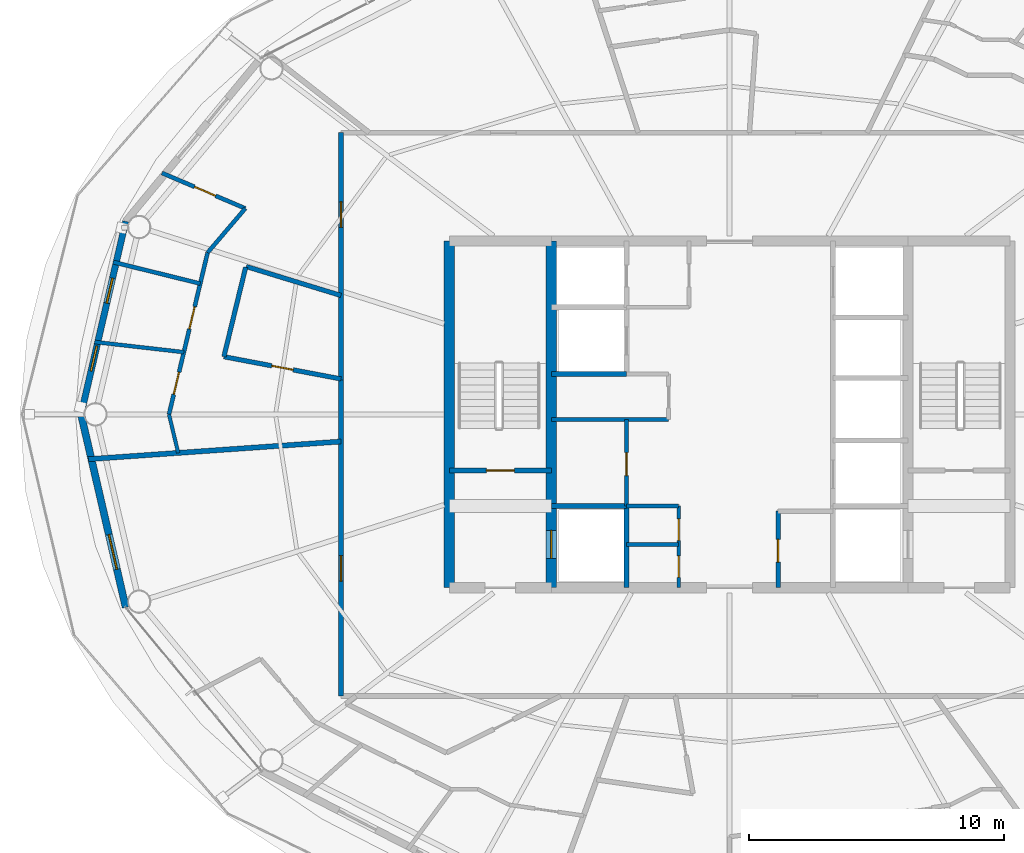
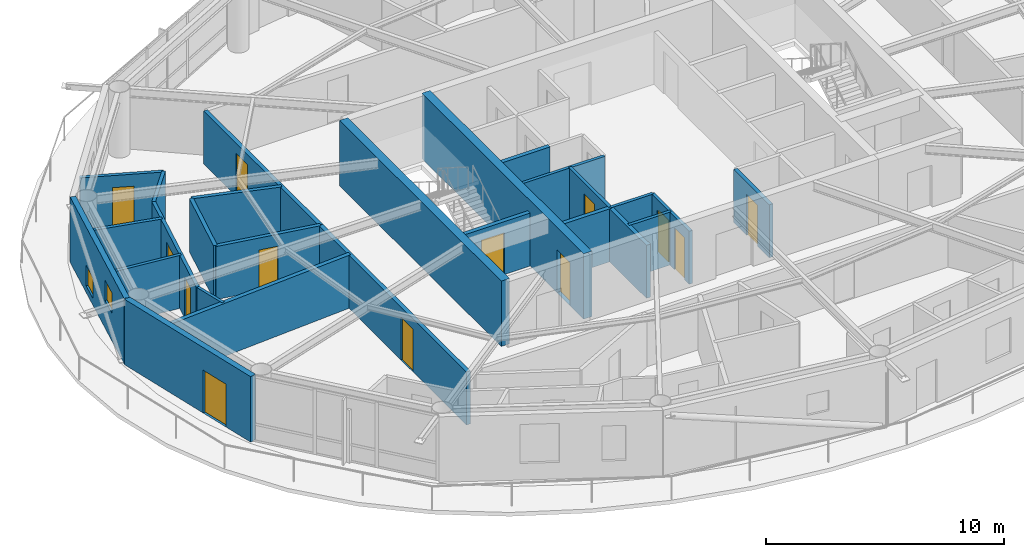
# One storey, part 16 of 23: 26 walls, 13 doors, 2 windows, 15 openings.
"""IFC4 building model written with IfcOpenShell, lengths in metres."""

from ifc_helpers import new_model, si_unit, direction, frame, frame_2d, origin, place, context, subcontext, project, spatial, rectangle, extrude, material, layer, layer_set, type_object, element, fill, save


model = new_model("IFC4")

# Units and contexts
model_context = context("Model", 3, precision=1e-05, world=origin(), true_north=direction((0.0, 1.0)))
body_context = subcontext(model_context, "Body", "Model", "MODEL_VIEW")
ifc_project = project(units=[si_unit("LENGTHUNIT", "METRE"), si_unit("AREAUNIT", "SQUARE_METRE"), si_unit("VOLUMEUNIT", "CUBIC_METRE"), si_unit("PLANEANGLEUNIT", "RADIAN"), si_unit("MASSUNIT", "GRAM", prefix="KILO")], contexts=[model_context])

# Site, building, storey
site_placement = place(None, origin())
site = spatial("IfcSite", under=ifc_project, at=site_placement, CompositionType="ELEMENT")
building_placement = place(site_placement, origin())
building = spatial("IfcBuilding", under=site, at=building_placement, Name="Sarneth Arch Tower", CompositionType="ELEMENT")
storey_placement = place(building_placement, frame((0.0, 0.0, 217.199951171875)))
storey = spatial("IfcBuildingStorey", under=building, at=storey_placement, Name="L55", CompositionType="ELEMENT", Elevation=217.199951171875)

# Wall
ifc_material_1 = material(Name="Concrete C50/60", Category="concrete")
ifc_layer_1 = layer(ifc_material_1, 0.39990234375)
ifc_layer_set_1 = layer_set([ifc_layer_1], Name="Concrete C50/60")
wall_type_1 = type_object("IfcWallType", Name="WALL-CORE-400", PredefinedType="SHEAR", material=ifc_layer_set_1)
wall_1_placement = place(storey_placement, frame((37.0, 35.199951171875, 0.0), z_axis=(0.0, 0.0, 1.0), x_axis=(0.0, 1.0, 0.0)))
element("IfcWall", 1, at=wall_1_placement, inside=storey, type_object=wall_type_1, Name="L55 Core shear wall W", PredefinedType="SHEAR", context=body_context, shape_type="SweptSolid", body=[
    extrude(rectangle(XDim=13.60009765625, YDim=0.39990234375, at=frame_2d((6.800048828125, 0.0))), origin(), (0.0, 0.0, 1.0), 3.360107421875),
])

# Wall, opening, door
wall_2_placement = place(storey_placement, frame((41.0, 35.199951171875, 0.0), z_axis=(0.0, 0.0, 1.0), x_axis=(0.0, 1.0, 0.0)))
wall_2 = element("IfcWall", 2, at=wall_2_placement, inside=storey, type_object=wall_type_1, Name="L55 Core shear wall WEB-W", PredefinedType="SHEAR", context=body_context, shape_type="SweptSolid", body=[
    extrude(rectangle(XDim=13.60009765625, YDim=0.39990234375, at=frame_2d((6.800048828125, 0.0))), origin(), (0.0, 0.0, 1.0), 3.360107421875),
])
opening_1_placement = place(wall_2_placement, frame((1.14990234375, 0.0, 0.0)))
opening_1 = element("IfcOpeningElement", 3, at=opening_1_placement, cuts=wall_2, Name="Opening LD-1", PredefinedType="OPENING", context=body_context, shape_type="SweptSolid", body=[
    extrude(rectangle(XDim=1.10009765625, YDim=2.199951171875, at=frame_2d((0.550048828125, 1.10009765625))), frame((0.0, 0.2099609375, 0.0), z_axis=(0.0, -1.0, 0.0), x_axis=(1.0, 0.0, 0.0)), (0.0, 0.0, 1.0), 0.419921875),
])
ifc_material_2 = material(Name="Brushed Stainless Steel 304 lift landing door", Category="steel")
door_type_1 = type_object("IfcDoorType", Name="DR-LIFT-SLIDE-1100", OperationType="SLIDING_TO_LEFT", PredefinedType="DOOR", material=ifc_material_2)
door_1_placement = place(opening_1_placement, origin())
door_1 = element("IfcDoor", 4, at=door_1_placement, inside=storey, type_object=door_type_1, Name="L55 Firefighting lift landing door FL-1", OperationType="SLIDING_TO_LEFT", OverallHeight=2.199951171875, OverallWidth=1.10009765625, PredefinedType="DOOR", context=body_context, shape_type="SweptSolid", body=[
    extrude(rectangle(XDim=1.10009765625, YDim=2.199951171875, at=frame_2d((0.550048828125, 1.10009765625))), frame((0.0, 0.02490234375, 0.0), z_axis=(0.0, -1.0, 0.0), x_axis=(1.0, 0.0, 0.0)), (0.0, 0.0, 1.0), 0.050048828125),
])
fill(opening_1, door_1)

ifc_material_3 = material(Name="Double steel-stud corridor fire wall", Category="steel")
ifc_layer_2 = layer(ifc_material_3, 0.18994140625)
ifc_layer_set_2 = layer_set([ifc_layer_2], Name="Double steel-stud corridor fire wall")
wall_type_2 = type_object("IfcWallType", Name="WALL-CORR-190", PredefinedType="PARTITIONING", material=ifc_layer_set_2)
wall_3_placement = place(storey_placement, frame((32.75, 30.949951171875, 0.0), z_axis=(0.0, 0.0, 1.0), x_axis=(0.0, 1.0, 0.0)))
wall_3 = element("IfcWall", 5, at=wall_3_placement, inside=storey, type_object=wall_type_2, Name="L55 Interior partition W-L55-TP-012", PredefinedType="PARTITIONING", context=body_context, shape_type="SweptSolid", body=[
    extrude(rectangle(XDim=12.47119140625, YDim=0.18994140625, at=frame_2d((6.235595703125, 0.0))), origin(), (0.0, 0.0, 1.0), 2.719970703125),
])
opening_2_placement = place(wall_3_placement, frame((4.5078125, 0.0, 0.0)))
opening_2 = element("IfcOpeningElement", 6, at=opening_2_placement, cuts=wall_3, Name="Opening FD-08", PredefinedType="OPENING", context=body_context, shape_type="SweptSolid", body=[
    extrude(rectangle(XDim=1.0, YDim=2.199951171875, at=frame_2d((0.5, 1.10009765625))), frame((0.0, 0.10498046875, 0.0), z_axis=(0.0, -1.0, 0.0), x_axis=(1.0, 0.0, 0.0)), (0.0, 0.0, 1.0), 0.2099609375),
])
ifc_material_4 = material(Name="Hardwood timber acoustic fire door", Category="wood")
door_type_2 = type_object("IfcDoorType", Name="DR-FD60-1000", OperationType="SINGLE_SWING_LEFT", PredefinedType="DOOR", material=ifc_material_4)
door_2_placement = place(opening_2_placement, origin())
door_2 = element("IfcDoor", 7, at=door_2_placement, inside=storey, type_object=door_type_2, Name="L55 Interior door DR-L55-U5-ENT", OperationType="SINGLE_SWING_LEFT", OverallHeight=2.199951171875, OverallWidth=1.0, PredefinedType="DOOR", context=body_context, shape_type="SweptSolid", body=[
    extrude(rectangle(XDim=1.0, YDim=2.199951171875, at=frame_2d((0.5, 1.10009765625))), frame((0.0, 0.02490234375, 0.0), z_axis=(0.0, -1.0, 0.0), x_axis=(1.0, 0.0, 0.0)), (0.0, 0.0, 1.0), 0.050048828125),
])
fill(opening_2, door_2)

wall_4_placement = place(storey_placement, frame((32.75, 43.35595703125, 0.0), z_axis=(0.0, 0.0, 1.0), x_axis=(0.0, 1.0, 0.0)))
wall_4 = element("IfcWall", 8, at=wall_4_placement, inside=storey, type_object=wall_type_2, Name="L55 Interior partition W-L55-TP-008", PredefinedType="PARTITIONING", context=body_context, shape_type="SweptSolid", body=[
    extrude(rectangle(XDim=9.694091796875, YDim=0.18994140625, at=frame_2d((4.84716796875, 0.0))), origin(), (0.0, 0.0, 1.0), 2.719970703125),
])
opening_3_placement = place(wall_4_placement, frame((5.9833984375, 0.0, 0.0)))
opening_3 = element("IfcOpeningElement", 9, at=opening_3_placement, cuts=wall_4, Name="Opening FD-08", PredefinedType="OPENING", context=body_context, shape_type="SweptSolid", body=[
    extrude(rectangle(XDim=1.0, YDim=2.199951171875, at=frame_2d((0.5, 1.10009765625))), frame((0.0, 0.10498046875, 0.0), z_axis=(0.0, -1.0, 0.0), x_axis=(1.0, 0.0, 0.0)), (0.0, 0.0, 1.0), 0.2099609375),
])
door_3_placement = place(opening_3_placement, origin())
door_3 = element("IfcDoor", 10, at=door_3_placement, inside=storey, type_object=door_type_2, Name="L55 Interior door DR-L55-U4-ENT", OperationType="SINGLE_SWING_LEFT", OverallHeight=2.199951171875, OverallWidth=1.0, PredefinedType="DOOR", context=body_context, shape_type="SweptSolid", body=[
    extrude(rectangle(XDim=1.0, YDim=2.199951171875, at=frame_2d((0.5, 1.10009765625))), frame((0.0, 0.02490234375, 0.0), z_axis=(0.0, -1.0, 0.0), x_axis=(1.0, 0.0, 0.0)), (0.0, 0.0, 1.0), 0.050048828125),
])
fill(opening_3, door_3)

# Wall, openings, windows
ifc_material_5 = material(Name="Extruded terracotta rainscreen on Concrete C40/50 backing", Category="masonry")
ifc_layer_3 = layer(ifc_material_5, 0.25)
ifc_layer_set_3 = layer_set([ifc_layer_3], Name="Extruded terracotta rainscreen on Concrete C40/50 backing")
wall_type_3 = type_object("IfcWallType", Name="WALL-EXT-SPAND-250", PredefinedType="SOLIDWALL", material=ifc_layer_set_3)
wall_5_placement = place(storey_placement, frame((24.30615234375, 49.569580078125, 0.0), z_axis=(0.0, 0.0, 1.0), x_axis=(-0.225635078214, -0.974211892495, 0.0)))
wall_5 = element("IfcWall", 11, at=wall_5_placement, inside=storey, type_object=wall_type_3, Name="L55 Terracotta perimeter wall 08", PredefinedType="SOLIDWALL", context=body_context, shape_type="SweptSolid", body=[
    extrude(rectangle(XDim=7.77001953125, YDim=0.25, at=frame_2d((3.885009765625, 0.0))), origin(), (0.0, 0.0, 1.0), 3.360107421875),
])
opening_4_placement = place(wall_5_placement, frame((2.290771484375, 0.0, 0.35009765625)))
opening_4 = element("IfcOpeningElement", 12, at=opening_4_placement, cuts=wall_5, Name="Opening W-14", PredefinedType="OPENING", context=body_context, shape_type="SweptSolid", body=[
    extrude(rectangle(XDim=1.0, YDim=1.050048828125, at=frame_2d((0.5, 0.52490234375))), frame((0.0, 0.135009765625, 0.0), z_axis=(0.0, -1.0, 0.0), x_axis=(1.0, 0.0, 0.0)), (0.0, 0.0, 1.0), 0.27001953125),
])
opening_5_placement = place(wall_5_placement, frame((5.02392578125, 0.0, 1.419921875)))
opening_5 = element("IfcOpeningElement", 13, at=opening_5_placement, cuts=wall_5, Name="Opening W-14", PredefinedType="OPENING", context=body_context, shape_type="SweptSolid", body=[
    extrude(rectangle(XDim=1.0, YDim=1.050048828125, at=frame_2d((0.5, 0.52490234375))), frame((0.0, 0.135009765625, 0.0), z_axis=(0.0, -1.0, 0.0), x_axis=(1.0, 0.0, 0.0)), (0.0, 0.0, 1.0), 0.27001953125),
])
ifc_material_6 = material(Name="Thermally broken Aluminium 6063-T6 and low-e laminated IGU", Category="aluminium")
window_type = type_object("IfcWindowType", Name="WIN-TWR-1000x1050", PartitioningType="SINGLE_PANEL", PredefinedType="WINDOW", material=ifc_material_6)
window_1_placement = place(opening_4_placement, origin())
window_1 = element("IfcWindow", 14, at=window_1_placement, inside=storey, type_object=window_type, Name="L55 Dwelling bedroom window 02", OverallHeight=1.050048828125, OverallWidth=1.0, PartitioningType="SINGLE_PANEL", PredefinedType="WINDOW", context=body_context, shape_type="SweptSolid", body=[
    extrude(rectangle(XDim=1.0, YDim=1.050048828125, at=frame_2d((0.5, 0.52490234375))), frame((0.0, 0.030029296875, 0.0), z_axis=(0.0, -1.0, 0.0), x_axis=(1.0, 0.0, 0.0)), (0.0, 0.0, 1.0), 0.06005859375),
])
fill(opening_4, window_1)
window_2_placement = place(opening_5_placement, origin())
window_2 = element("IfcWindow", 15, at=window_2_placement, inside=storey, type_object=window_type, Name="L55 Dwelling bedroom window 03", OverallHeight=1.050048828125, OverallWidth=1.0, PartitioningType="SINGLE_PANEL", PredefinedType="WINDOW", context=body_context, shape_type="SweptSolid", body=[
    extrude(rectangle(XDim=1.0, YDim=1.050048828125, at=frame_2d((0.5, 0.52490234375))), frame((0.0, 0.030029296875, 0.0), z_axis=(0.0, -1.0, 0.0), x_axis=(1.0, 0.0, 0.0)), (0.0, 0.0, 1.0), 0.06005859375),
])
fill(opening_5, window_2)

# Wall, opening, door
ifc_material_7 = material(Name="Extruded terracotta rainscreen on Concrete C40/50 backing", Category="masonry")
ifc_layer_4 = layer(ifc_material_7, 0.280029296875)
ifc_layer_set_4 = layer_set([ifc_layer_4], Name="Extruded terracotta rainscreen on Concrete C40/50 backing")
wall_type_4 = type_object("IfcWallType", Name="WALL-EXT-TERRA-280", PredefinedType="SOLIDWALL", material=ifc_layer_set_4)
wall_6_placement = place(storey_placement, frame((22.552978515625, 42.0, 0.0), z_axis=(0.0, 0.0, 1.0), x_axis=(0.225635078214, -0.974211892495, 0.0)))
wall_6 = element("IfcWall", 16, at=wall_6_placement, inside=storey, type_object=wall_type_4, Name="L55 Terracotta perimeter wall 09", PredefinedType="SOLIDWALL", context=body_context, shape_type="SweptSolid", body=[
    extrude(rectangle(XDim=7.77001953125, YDim=0.280029296875, at=frame_2d((3.885009765625, 0.0))), origin(), (0.0, 0.0, 1.0), 3.360107421875),
])
opening_6_placement = place(wall_6_placement, frame((4.842041015625, 0.0, 0.0)))
opening_6 = element("IfcOpeningElement", 17, at=opening_6_placement, cuts=wall_6, Name="Opening BD-2", PredefinedType="OPENING", context=body_context, shape_type="SweptSolid", body=[
    extrude(rectangle(XDim=1.39990234375, YDim=2.199951171875, at=frame_2d((0.699951171875, 1.10009765625))), frame((0.0, 0.14990234375, 0.0), z_axis=(0.0, -1.0, 0.0), x_axis=(1.0, 0.0, 0.0)), (0.0, 0.0, 1.0), 0.300048828125),
])
ifc_material_8 = material(Name="Thermally broken Aluminium 6063-T6 and laminated safety glass", Category="aluminium")
door_type_3 = type_object("IfcDoorType", Name="DR-BALC-GLZ-1400", OperationType="SINGLE_SWING_LEFT", PredefinedType="DOOR", material=ifc_material_8)
door_4_placement = place(opening_6_placement, origin())
door_4 = element("IfcDoor", 18, at=door_4_placement, inside=storey, type_object=door_type_3, Name="L55 Balcony glazed door 09", OperationType="SINGLE_SWING_LEFT", OverallHeight=2.199951171875, OverallWidth=1.39990234375, PredefinedType="DOOR", context=body_context, shape_type="SweptSolid", body=[
    extrude(rectangle(XDim=1.39990234375, YDim=2.199951171875, at=frame_2d((0.699951171875, 1.10009765625))), frame((0.0, 0.02490234375, 0.0), z_axis=(0.0, -1.0, 0.0), x_axis=(1.0, 0.0, 0.0)), (0.0, 0.0, 1.0), 0.050048828125),
])
fill(opening_6, door_4)

# Wall
ifc_material_9 = material(Name="Apartment internal stud partition", Category="gypsum")
ifc_layer_5 = layer(ifc_material_9, 0.139892578125)
ifc_layer_set_5 = layer_set([ifc_layer_5], Name="Apartment internal stud partition")
wall_type_5 = type_object("IfcWallType", Name="WALL-PART-140", PredefinedType="PARTITIONING", material=ifc_layer_set_5)
wall_7_placement = place(storey_placement, frame((26.003662109375, 42.0, 0.0), z_axis=(0.0, 0.0, 1.0), x_axis=(0.232292411737, -0.972645996984, 0.0)))
element("IfcWall", 19, at=wall_7_placement, inside=storey, type_object=wall_type_5, Name="L55 Interior partition W-L55-TP-061", PredefinedType="PARTITIONING", context=body_context, shape_type="SweptSolid", body=[
    extrude(rectangle(XDim=1.555419921875, YDim=0.139892578125, at=frame_2d((0.77783203125, 0.0))), origin(), (0.0, 0.0, 1.0), 2.719970703125),
])

# Wall, opening, door
ifc_material_10 = material(Name="Acoustic gypsum stud partition", Category="gypsum")
ifc_layer_6 = layer(ifc_material_10, 0.14990234375)
ifc_layer_set_6 = layer_set([ifc_layer_6], Name="Acoustic gypsum stud partition")
wall_type_6 = type_object("IfcWallType", Name="WALL-PART-150", PredefinedType="PARTITIONING", material=ifc_layer_set_6)
wall_8_placement = place(storey_placement, frame((43.949951171875, 38.39990234375, 0.0), z_axis=(0.0, 0.0, 1.0), x_axis=(0.0, 1.0, 0.0)))
wall_8 = element("IfcWall", 20, at=wall_8_placement, inside=storey, type_object=wall_type_6, Name="L55 Interior partition W-L55-RECPL-E1", PredefinedType="PARTITIONING", context=body_context, shape_type="SweptSolid", body=[
    extrude(rectangle(XDim=3.400146484375, YDim=0.14990234375, at=frame_2d((1.7001953125, 0.0))), origin(), (0.0, 0.0, 1.0), 2.719970703125),
])
opening_7_placement = place(wall_8_placement, frame((1.199951171875, 0.0, 0.0)))
opening_7 = element("IfcOpeningElement", 21, at=opening_7_placement, cuts=wall_8, Name="Opening FD-10", PredefinedType="OPENING", context=body_context, shape_type="SweptSolid", body=[
    extrude(rectangle(XDim=0.89990234375, YDim=2.14990234375, at=frame_2d((0.449951171875, 1.074951171875))), frame((0.0, 0.0849609375, 0.0), z_axis=(0.0, -1.0, 0.0), x_axis=(1.0, 0.0, 0.0)), (0.0, 0.0, 1.0), 0.169921875),
])
ifc_material_11 = material(Name="Galvanised Steel S275 riser/service fire door", Category="steel")
door_type_4 = type_object("IfcDoorType", Name="DR-FD60-900", OperationType="SINGLE_SWING_LEFT", PredefinedType="DOOR", material=ifc_material_11)
door_5_placement = place(opening_7_placement, origin())
door_5 = element("IfcDoor", 22, at=door_5_placement, inside=storey, type_object=door_type_4, Name="L55 Interior door DR-L55-RECPL1", OperationType="SINGLE_SWING_LEFT", OverallHeight=2.14990234375, OverallWidth=0.89990234375, PredefinedType="DOOR", context=body_context, shape_type="SweptSolid", body=[
    extrude(rectangle(XDim=0.89990234375, YDim=2.14990234375, at=frame_2d((0.449951171875, 1.074951171875))), frame((0.0, 0.02490234375, 0.0), z_axis=(0.0, -1.0, 0.0), x_axis=(1.0, 0.0, 0.0)), (0.0, 0.0, 1.0), 0.050048828125),
])
fill(opening_7, door_5)

# Walls
wall_9_placement = place(storey_placement, frame((41.0, 41.800048828125, 0.0), z_axis=(0.0, 0.0, 1.0), x_axis=(1.0, 0.0, 0.0)))
element("IfcWall", 23, at=wall_9_placement, inside=storey, type_object=wall_type_6, Name="L55 Interior partition W-L55-RECPL-S2", PredefinedType="PARTITIONING", context=body_context, shape_type="SweptSolid", body=[
    extrude(rectangle(XDim=4.60009765625, YDim=0.14990234375, at=frame_2d((2.300048828125, 0.0))), origin(), (0.0, 0.0, 1.0), 2.719970703125),
])
for number, where, z_axis, x_axis, name in (
    (24, (43.949951171875, 36.89990234375, 0.0), (0.0, 0.0, 1.0), (1.0, 0.0, 0.0), "L55 Interior partition W-L55-CSUP-M"),
    (25, (43.949951171875, 38.39990234375, 0.0), (0.0, 0.0, 1.0), (1.0, 0.0, 0.0), "L55 Interior partition W-L55-CSUP-N"),
):
    element("IfcWall", number, at=place(storey_placement, frame(where, z_axis=z_axis, x_axis=x_axis)), inside=storey, type_object=wall_type_6, Name=name, PredefinedType="PARTITIONING", context=body_context, shape_type="SweptSolid", body=[
        extrude(rectangle(XDim=2.050048828125, YDim=0.14990234375, at=frame_2d((1.02490234375, 0.0))), origin(), (0.0, 0.0, 1.0), 2.719970703125),
    ])

# Wall, openings, doors
wall_10_placement = place(storey_placement, frame((46.0, 35.199951171875, 0.0), z_axis=(0.0, 0.0, 1.0), x_axis=(0.0, 1.0, 0.0)))
wall_10 = element("IfcWall", 26, at=wall_10_placement, inside=storey, type_object=wall_type_6, Name="L55 Interior partition W-L55-CSUP-E", PredefinedType="PARTITIONING", context=body_context, shape_type="SweptSolid", body=[
    extrude(rectangle(XDim=3.199951171875, YDim=0.14990234375, at=frame_2d((1.60009765625, 0.0))), origin(), (0.0, 0.0, 1.0), 2.719970703125),
])
opening_8_placement = place(wall_10_placement, frame((0.39990234375, 0.0, 0.0)))
opening_8 = element("IfcOpeningElement", 27, at=opening_8_placement, cuts=wall_10, Name="Opening FD-11", PredefinedType="OPENING", context=body_context, shape_type="SweptSolid", body=[
    extrude(rectangle(XDim=0.85009765625, YDim=2.14990234375, at=frame_2d((0.425048828125, 1.074951171875))), frame((0.0, 0.0849609375, 0.0), z_axis=(0.0, -1.0, 0.0), x_axis=(1.0, 0.0, 0.0)), (0.0, 0.0, 1.0), 0.169921875),
])
opening_9_placement = place(wall_10_placement, frame((1.85009765625, 0.0, 0.0)))
opening_9 = element("IfcOpeningElement", 28, at=opening_9_placement, cuts=wall_10, Name="Opening FD-11", PredefinedType="OPENING", context=body_context, shape_type="SweptSolid", body=[
    extrude(rectangle(XDim=0.85009765625, YDim=2.14990234375, at=frame_2d((0.425048828125, 1.074951171875))), frame((0.0, 0.0849609375, 0.0), z_axis=(0.0, -1.0, 0.0), x_axis=(1.0, 0.0, 0.0)), (0.0, 0.0, 1.0), 0.169921875),
])
ifc_material_12 = material(Name="Galvanised Steel S275 closet fire door", Category="steel")
door_type_5 = type_object("IfcDoorType", Name="DR-FD60-850", OperationType="SINGLE_SWING_LEFT", PredefinedType="DOOR", material=ifc_material_12)
door_6_placement = place(opening_8_placement, origin())
door_6 = element("IfcDoor", 29, at=door_6_placement, inside=storey, type_object=door_type_5, Name="L55 Interior door DR-L55-CSUP1", OperationType="SINGLE_SWING_LEFT", OverallHeight=2.14990234375, OverallWidth=0.85009765625, PredefinedType="DOOR", context=body_context, shape_type="SweptSolid", body=[
    extrude(rectangle(XDim=0.85009765625, YDim=2.14990234375, at=frame_2d((0.425048828125, 1.074951171875))), frame((0.0, 0.02490234375, 0.0), z_axis=(0.0, -1.0, 0.0), x_axis=(1.0, 0.0, 0.0)), (0.0, 0.0, 1.0), 0.050048828125),
])
fill(opening_8, door_6)
door_7_placement = place(opening_9_placement, origin())
door_7 = element("IfcDoor", 30, at=door_7_placement, inside=storey, type_object=door_type_5, Name="L55 Interior door DR-L55-CSUP2", OperationType="SINGLE_SWING_RIGHT", OverallHeight=2.14990234375, OverallWidth=0.85009765625, PredefinedType="DOOR", context=body_context, shape_type="SweptSolid", body=[
    extrude(rectangle(XDim=0.85009765625, YDim=2.14990234375, at=frame_2d((0.425048828125, 1.074951171875))), frame((0.0, 0.02490234375, 0.0), z_axis=(0.0, -1.0, 0.0), x_axis=(1.0, 0.0, 0.0)), (0.0, 0.0, 1.0), 0.050048828125),
])
fill(opening_9, door_7)

# Wall
wall_11_placement = place(storey_placement, frame((23.088134765625, 44.83837890625, 0.0), z_axis=(0.0, 0.0, 1.0), x_axis=(0.99356860566, -0.113231735156, 0.0)))
element("IfcWall", 31, at=wall_11_placement, inside=storey, type_object=wall_type_6, Name="L55 Interior partition W-L55-TP-064", PredefinedType="PARTITIONING", context=body_context, shape_type="SweptSolid", body=[
    extrude(rectangle(XDim=3.52099609375, YDim=0.14990234375, at=frame_2d((1.760498046875, 0.0))), origin(), (0.0, 0.0, 1.0), 2.719970703125),
])

# Wall, opening, door
ifc_material_13 = material(Name="Kitchen wet service chase wall", Category="gypsum")
ifc_layer_7 = layer(ifc_material_13, 0.159912109375)
ifc_layer_set_7 = layer_set([ifc_layer_7], Name="Kitchen wet service chase wall")
wall_type_7 = type_object("IfcWallType", Name="WALL-PLUMB-160", PredefinedType="PLUMBINGWALL", material=ifc_layer_set_7)
wall_12_placement = place(storey_placement, frame((25.728515625, 51.46826171875, 0.0), z_axis=(0.0, 0.0, 1.0), x_axis=(0.920292576495, -0.39123084445, 0.0)))
wall_12 = element("IfcWall", 32, at=wall_12_placement, inside=storey, type_object=wall_type_7, Name="L55 Interior partition W-L55-TP-053", PredefinedType="PLUMBINGWALL", context=body_context, shape_type="SweptSolid", body=[
    extrude(rectangle(XDim=3.55322265625, YDim=0.159912109375, at=frame_2d((1.776611328125, 0.0))), origin(), (0.0, 0.0, 1.0), 2.719970703125),
])
opening_10_placement = place(wall_12_placement, frame((1.38671875, 0.0, 0.0)))
opening_10 = element("IfcOpeningElement", 33, at=opening_10_placement, cuts=wall_12, Name="Opening ID-01", PredefinedType="OPENING", context=body_context, shape_type="SweptSolid", body=[
    extrude(rectangle(XDim=0.89990234375, YDim=2.10009765625, at=frame_2d((0.449951171875, 1.050048828125))), frame((0.0, 0.08984375, 0.0), z_axis=(0.0, -1.0, 0.0), x_axis=(1.0, 0.0, 0.0)), (0.0, 0.0, 1.0), 0.179931640625),
])
ifc_material_14 = material(Name="Engineered hardwood flush door", Category="wood")
door_type_6 = type_object("IfcDoorType", Name="DR-INT-900", OperationType="SINGLE_SWING_LEFT", PredefinedType="DOOR", material=ifc_material_14)
door_8_placement = place(opening_10_placement, origin())
door_8 = element("IfcDoor", 34, at=door_8_placement, inside=storey, type_object=door_type_6, Name="L55 Interior door DR-L55-U4-KIT", OperationType="SINGLE_SWING_LEFT", OverallHeight=2.10009765625, OverallWidth=0.89990234375, PredefinedType="DOOR", context=body_context, shape_type="SweptSolid", body=[
    extrude(rectangle(XDim=0.89990234375, YDim=2.10009765625, at=frame_2d((0.449951171875, 1.050048828125))), frame((0.0, 0.02490234375, 0.0), z_axis=(0.0, -1.0, 0.0), x_axis=(1.0, 0.0, 0.0)), (0.0, 0.0, 1.0), 0.050048828125),
])
fill(opening_10, door_8)

# Wall
wall_13_placement = place(storey_placement, frame((27.22900390625, 47.129638671875, 0.0), z_axis=(0.0, 0.0, 1.0), x_axis=(-0.970832476512, 0.239758842484, 0.0)))
element("IfcWall", 35, at=wall_13_placement, inside=storey, type_object=wall_type_7, Name="L55 Interior partition W-L55-TP-063", PredefinedType="PLUMBINGWALL", context=body_context, shape_type="SweptSolid", body=[
    extrude(rectangle(XDim=3.51806640625, YDim=0.159912109375, at=frame_2d((1.759033203125, 0.0))), origin(), (0.0, 0.0, 1.0), 2.719970703125),
])

# Wall, openings, doors
wall_14_placement = place(storey_placement, frame((26.003662109375, 42.0, 0.0), z_axis=(0.0, 0.0, 1.0), x_axis=(0.232298462197, 0.972644551962, 0.0)))
wall_14 = element("IfcWall", 36, at=wall_14_placement, inside=storey, type_object=wall_type_7, Name="L55 Interior partition W-L55-TP-059", PredefinedType="PLUMBINGWALL", context=body_context, shape_type="SweptSolid", body=[
    extrude(rectangle(XDim=6.5234375, YDim=0.159912109375, at=frame_2d((3.26171875, 0.0))), origin(), (0.0, 0.0, 1.0), 2.719970703125),
])
opening_11_placement = place(wall_14_placement, frame((3.441162109375, 0.0, 0.0)))
opening_11 = element("IfcOpeningElement", 37, at=opening_11_placement, cuts=wall_14, Name="Opening ID-01", PredefinedType="OPENING", context=body_context, shape_type="SweptSolid", body=[
    extrude(rectangle(XDim=0.89990234375, YDim=2.10009765625, at=frame_2d((0.449951171875, 1.050048828125))), frame((0.0, 0.08984375, 0.0), z_axis=(0.0, -1.0, 0.0), x_axis=(1.0, 0.0, 0.0)), (0.0, 0.0, 1.0), 0.179931640625),
])
opening_12_placement = place(wall_14_placement, frame((0.80419921875, 0.0, 0.0)))
opening_12 = element("IfcOpeningElement", 38, at=opening_12_placement, cuts=wall_14, Name="Opening ID-01", PredefinedType="OPENING", context=body_context, shape_type="SweptSolid", body=[
    extrude(rectangle(XDim=0.89990234375, YDim=2.10009765625, at=frame_2d((0.449951171875, 1.050048828125))), frame((0.0, 0.08984375, 0.0), z_axis=(0.0, -1.0, 0.0), x_axis=(1.0, 0.0, 0.0)), (0.0, 0.0, 1.0), 0.179931640625),
])
door_9_placement = place(opening_11_placement, origin())
door_9 = element("IfcDoor", 39, at=door_9_placement, inside=storey, type_object=door_type_6, Name="L55 Interior door DR-L55-U4-BED1", OperationType="SINGLE_SWING_LEFT", OverallHeight=2.10009765625, OverallWidth=0.89990234375, PredefinedType="DOOR", context=body_context, shape_type="SweptSolid", body=[
    extrude(rectangle(XDim=0.89990234375, YDim=2.10009765625, at=frame_2d((0.449951171875, 1.050048828125))), frame((0.0, 0.02490234375, 0.0), z_axis=(0.0, -1.0, 0.0), x_axis=(1.0, 0.0, 0.0)), (0.0, 0.0, 1.0), 0.050048828125),
])
fill(opening_11, door_9)
door_10_placement = place(opening_12_placement, origin())
door_10 = element("IfcDoor", 40, at=door_10_placement, inside=storey, type_object=door_type_6, Name="L55 Interior door DR-L55-U4-BED2", OperationType="SINGLE_SWING_RIGHT", OverallHeight=2.10009765625, OverallWidth=0.89990234375, PredefinedType="DOOR", context=body_context, shape_type="SweptSolid", body=[
    extrude(rectangle(XDim=0.89990234375, YDim=2.10009765625, at=frame_2d((0.449951171875, 1.050048828125))), frame((0.0, 0.02490234375, 0.0), z_axis=(0.0, -1.0, 0.0), x_axis=(1.0, 0.0, 0.0)), (0.0, 0.0, 1.0), 0.050048828125),
])
fill(opening_12, door_10)

# Wall
wall_15_placement = place(storey_placement, frame((28.99853515625, 50.078125, 0.0), z_axis=(0.0, 0.0, 1.0), x_axis=(-0.649254822002, -0.760570954025, 0.0)))
element("IfcWall", 41, at=wall_15_placement, inside=storey, type_object=wall_type_7, Name="L55 Interior partition W-L55-TP-054", PredefinedType="PLUMBINGWALL", context=body_context, shape_type="SweptSolid", body=[
    extrude(rectangle(XDim=2.27880859375, YDim=0.159912109375, at=frame_2d((1.139404296875, 0.0))), origin(), (0.0, 0.0, 1.0), 2.719970703125),
])

# Wall, opening, door
ifc_material_15 = material(Name="Moisture-resistant plumbing chase wall", Category="gypsum")
ifc_layer_8 = layer(ifc_material_15, 0.179931640625)
ifc_layer_set_8 = layer_set([ifc_layer_8], Name="Moisture-resistant plumbing chase wall")
wall_type_8 = type_object("IfcWallType", Name="WALL-PLUMB-180", PredefinedType="PLUMBINGWALL", material=ifc_layer_set_8)
wall_16_placement = place(storey_placement, frame((49.89990234375, 35.199951171875, 0.0), z_axis=(0.0, 0.0, 1.0), x_axis=(0.0, 1.0, 0.0)))
wall_16 = element("IfcWall", 42, at=wall_16_placement, inside=storey, type_object=wall_type_8, Name="L55 Interior partition W-L55-AWC-W", PredefinedType="PLUMBINGWALL", context=body_context, shape_type="SweptSolid", body=[
    extrude(rectangle(XDim=3.0, YDim=0.179931640625, at=frame_2d((1.5, 0.0))), origin(), (0.0, 0.0, 1.0), 2.719970703125),
])
opening_13_placement = place(wall_16_placement, frame((1.0, 0.0, 0.0)))
opening_13 = element("IfcOpeningElement", 43, at=opening_13_placement, cuts=wall_16, Name="Opening ID-01", PredefinedType="OPENING", context=body_context, shape_type="SweptSolid", body=[
    extrude(rectangle(XDim=0.89990234375, YDim=2.10009765625, at=frame_2d((0.449951171875, 1.050048828125))), frame((0.0, 0.099853515625, 0.0), z_axis=(0.0, -1.0, 0.0), x_axis=(1.0, 0.0, 0.0)), (0.0, 0.0, 1.0), 0.199951171875),
])
door_11_placement = place(opening_13_placement, origin())
door_11 = element("IfcDoor", 44, at=door_11_placement, inside=storey, type_object=door_type_6, Name="L55 Interior door DR-L55-AWC", OperationType="SINGLE_SWING_RIGHT", OverallHeight=2.10009765625, OverallWidth=0.89990234375, PredefinedType="DOOR", context=body_context, shape_type="SweptSolid", body=[
    extrude(rectangle(XDim=0.89990234375, YDim=2.10009765625, at=frame_2d((0.449951171875, 1.050048828125))), frame((0.0, 0.02490234375, 0.0), z_axis=(0.0, -1.0, 0.0), x_axis=(1.0, 0.0, 0.0)), (0.0, 0.0, 1.0), 0.050048828125),
])
fill(opening_13, door_11)

wall_17_placement = place(storey_placement, frame((32.75, 43.388671875, 0.0), z_axis=(0.0, 0.0, 1.0), x_axis=(-0.982412093784, 0.186725675755, 0.0)))
wall_17 = element("IfcWall", 45, at=wall_17_placement, inside=storey, type_object=wall_type_8, Name="L55 Interior partition W-L55-TP-056", PredefinedType="PLUMBINGWALL", context=body_context, shape_type="SweptSolid", body=[
    extrude(rectangle(XDim=4.67431640625, YDim=0.179931640625, at=frame_2d((2.337158203125, 0.0))), origin(), (0.0, 0.0, 1.0), 2.719970703125),
])
opening_14_placement = place(wall_17_placement, frame((1.912109375, 0.0, 0.0)))
opening_14 = element("IfcOpeningElement", 46, at=opening_14_placement, cuts=wall_17, Name="Opening ID-02", PredefinedType="OPENING", context=body_context, shape_type="SweptSolid", body=[
    extrude(rectangle(XDim=0.85009765625, YDim=2.10009765625, at=frame_2d((0.425048828125, 1.050048828125))), frame((0.0, 0.099853515625, 0.0), z_axis=(0.0, -1.0, 0.0), x_axis=(1.0, 0.0, 0.0)), (0.0, 0.0, 1.0), 0.199951171875),
])
ifc_material_16 = material(Name="Moisture-resistant bathroom timber door", Category="wood")
door_type_7 = type_object("IfcDoorType", Name="DR-INT-850", OperationType="SINGLE_SWING_RIGHT", PredefinedType="DOOR", material=ifc_material_16)
door_12_placement = place(opening_14_placement, origin())
door_12 = element("IfcDoor", 47, at=door_12_placement, inside=storey, type_object=door_type_7, Name="L55 Interior door DR-L55-U4-BATH", OperationType="SINGLE_SWING_RIGHT", OverallHeight=2.10009765625, OverallWidth=0.85009765625, PredefinedType="DOOR", context=body_context, shape_type="SweptSolid", body=[
    extrude(rectangle(XDim=0.85009765625, YDim=2.10009765625, at=frame_2d((0.425048828125, 1.050048828125))), frame((0.0, 0.02490234375, 0.0), z_axis=(0.0, -1.0, 0.0), x_axis=(1.0, 0.0, 0.0)), (0.0, 0.0, 1.0), 0.050048828125),
])
fill(opening_14, door_12)

# Walls
wall_18_placement = place(storey_placement, frame((29.035888671875, 47.7978515625, 0.0), z_axis=(0.0, 0.0, 1.0), x_axis=(0.956306177074, -0.292367056437, 0.0)))
element("IfcWall", 48, at=wall_18_placement, inside=storey, type_object=wall_type_8, Name="L55 Interior partition W-L55-TP-058", PredefinedType="PLUMBINGWALL", context=body_context, shape_type="SweptSolid", body=[
    extrude(rectangle(XDim=3.8837890625, YDim=0.179931640625, at=frame_2d((1.94189453125, 0.0))), origin(), (0.0, 0.0, 1.0), 2.719970703125),
])
wall_19_placement = place(storey_placement, frame((28.157958984375, 44.261474609375, 0.0), z_axis=(0.0, 0.0, 1.0), x_axis=(0.236567164095, 0.971615138248, 0.0)))
element("IfcWall", 49, at=wall_19_placement, inside=storey, type_object=wall_type_8, Name="L55 Interior partition W-L55-TP-057", PredefinedType="PLUMBINGWALL", context=body_context, shape_type="SweptSolid", body=[
    extrude(rectangle(XDim=3.612060546875, YDim=0.179931640625, at=frame_2d((1.80615234375, 0.0))), origin(), (0.0, 0.0, 1.0), 2.719970703125),
])

# Wall, opening, door
ifc_material_17 = material(Name="Aerated concrete blockwork C25/30", Category="masonry")
ifc_layer_9 = layer(ifc_material_17, 0.199951171875)
ifc_layer_set_9 = layer_set([ifc_layer_9], Name="Aerated concrete blockwork C25/30")
wall_type_9 = type_object("IfcWallType", Name="WALL-SHAFT-200", PredefinedType="SOLIDWALL", material=ifc_layer_set_9)
wall_20_placement = place(storey_placement, frame((37.0, 39.800048828125, 0.0), z_axis=(0.0, 0.0, 1.0), x_axis=(1.0, 0.0, 0.0)))
wall_20 = element("IfcWall", 50, at=wall_20_placement, inside=storey, type_object=wall_type_9, Name="L55 Interior partition W-L55-ST1-S", PredefinedType="SOLIDWALL", context=body_context, shape_type="SweptSolid", body=[
    extrude(rectangle(XDim=4.0, YDim=0.199951171875, at=frame_2d((2.0, 0.0))), origin(), (0.0, 0.0, 1.0), 2.719970703125),
])
opening_15_placement = place(wall_20_placement, frame((1.449951171875, 0.0, 0.0)))
opening_15 = element("IfcOpeningElement", 51, at=opening_15_placement, cuts=wall_20, Name="Opening FD-03", PredefinedType="OPENING", context=body_context, shape_type="SweptSolid", body=[
    extrude(rectangle(XDim=1.10009765625, YDim=2.14990234375, at=frame_2d((0.550048828125, 1.074951171875))), frame((0.0, 0.10986328125, 0.0), z_axis=(0.0, -1.0, 0.0), x_axis=(1.0, 0.0, 0.0)), (0.0, 0.0, 1.0), 0.219970703125),
])
ifc_material_18 = material(Name="Galvanised Steel S275 fire door set", Category="steel")
door_type_8 = type_object("IfcDoorType", Name="DR-FD90-1100", OperationType="SINGLE_SWING_LEFT", PredefinedType="DOOR", material=ifc_material_18)
door_13_placement = place(opening_15_placement, origin())
door_13 = element("IfcDoor", 52, at=door_13_placement, inside=storey, type_object=door_type_8, Name="L55 Interior door DR-L55-ST1", OperationType="SINGLE_SWING_LEFT", OverallHeight=2.14990234375, OverallWidth=1.10009765625, PredefinedType="DOOR", context=body_context, shape_type="SweptSolid", body=[
    extrude(rectangle(XDim=1.10009765625, YDim=2.14990234375, at=frame_2d((0.550048828125, 1.074951171875))), frame((0.0, 0.02490234375, 0.0), z_axis=(0.0, -1.0, 0.0), x_axis=(1.0, 0.0, 0.0)), (0.0, 0.0, 1.0), 0.050048828125),
])
fill(opening_15, door_13)

# Walls
wall_21_placement = place(storey_placement, frame((43.949951171875, 35.199951171875, 0.0), z_axis=(0.0, 0.0, 1.0), x_axis=(0.0, 1.0, 0.0)))
element("IfcWall", 53, at=wall_21_placement, inside=storey, type_object=wall_type_9, Name="L55 Interior partition W-L55-FL1-E", PredefinedType="SOLIDWALL", context=body_context, shape_type="SweptSolid", body=[
    extrude(rectangle(XDim=3.199951171875, YDim=0.199951171875, at=frame_2d((1.60009765625, 0.0))), origin(), (0.0, 0.0, 1.0), 2.719970703125),
])
for number, where, z_axis, x_axis, name in (
    (54, (41.0, 38.39990234375, 0.0), (0.0, 0.0, 1.0), (1.0, 0.0, 0.0), "L55 Interior partition W-L55-FL1-N"),
    (55, (41.0, 43.580078125, 0.0), (0.0, 0.0, 1.0), (1.0, 0.0, 0.0), "L55 Interior partition W-L55-PM1-S"),
):
    element("IfcWall", number, at=place(storey_placement, frame(where, z_axis=z_axis, x_axis=x_axis)), inside=storey, type_object=wall_type_9, Name=name, PredefinedType="SOLIDWALL", context=body_context, shape_type="SweptSolid", body=[
        extrude(rectangle(XDim=2.949951171875, YDim=0.199951171875, at=frame_2d((1.47509765625, 0.0))), origin(), (0.0, 0.0, 1.0), 2.719970703125),
    ])
ifc_material_19 = material(Name="Double steel-stud acoustic drywall", Category="steel")
ifc_layer_10 = layer(ifc_material_19, 0.199951171875)
ifc_layer_set_10 = layer_set([ifc_layer_10], Name="Double steel-stud acoustic drywall")
wall_type_10 = type_object("IfcWallType", Name="WALL-UNIT-200", PredefinedType="PARTITIONING", material=ifc_layer_set_10)
wall_22_placement = place(storey_placement, frame((32.75, 40.93359375, 0.0), z_axis=(0.0, 0.0, 1.0), x_axis=(-0.997563620801, -0.069762615023, 0.0)))
element("IfcWall", 56, at=wall_22_placement, inside=storey, type_object=wall_type_10, Name="L55 Interior partition W-L55-TP-062", PredefinedType="PARTITIONING", context=body_context, shape_type="SweptSolid", body=[
    extrude(rectangle(XDim=9.935302734375, YDim=0.199951171875, at=frame_2d((4.9677734375, 0.0))), origin(), (0.0, 0.0, 1.0), 2.719970703125),
])

save(model, "model.ifc")
